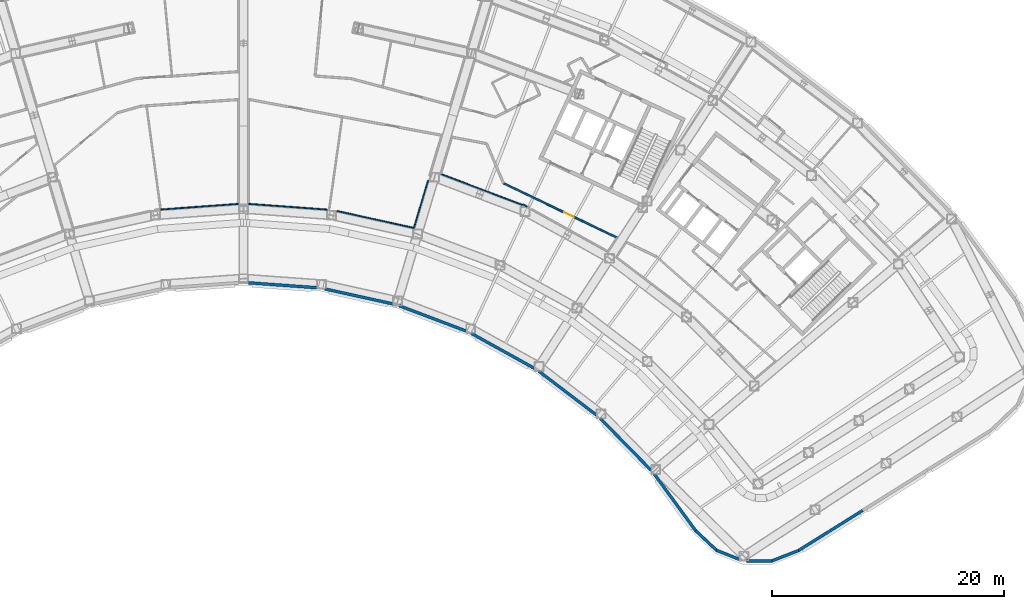
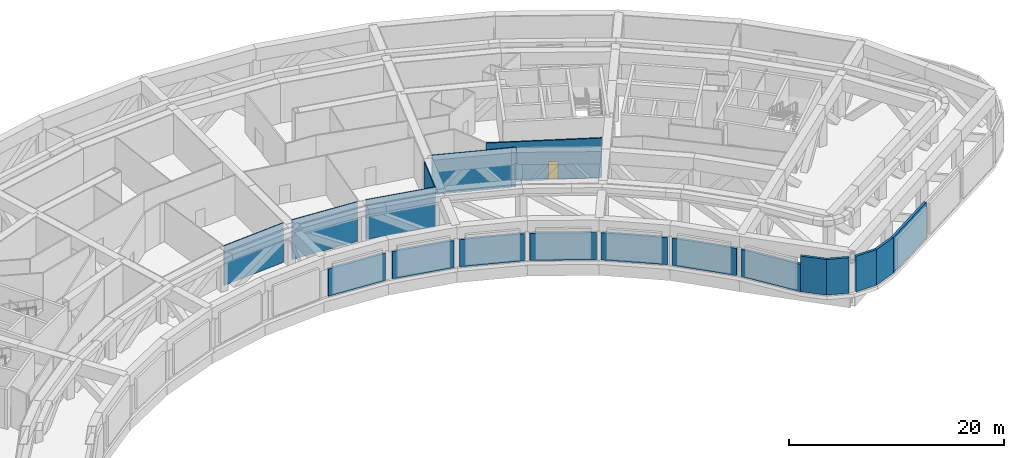
# One storey, part 12 of 30: 19 walls, 1 door, 1 opening.
"""IFC4 building model written with IfcOpenShell, lengths in metres."""

from ifc_helpers import new_model, si_unit, direction, frame, frame_2d, origin, place, context, subcontext, project, spatial, rectangle, extrude, material, layer, layer_set, type_object, element, fill, save


model = new_model("IFC4")

# Units and contexts
model_context = context("Model", 3, precision=1e-05, world=origin(), true_north=direction((0.0, 1.0)))
body_context = subcontext(model_context, "Body", "Model", "MODEL_VIEW")
ifc_project = project(units=[si_unit("LENGTHUNIT", "METRE"), si_unit("AREAUNIT", "SQUARE_METRE"), si_unit("VOLUMEUNIT", "CUBIC_METRE"), si_unit("PLANEANGLEUNIT", "RADIAN"), si_unit("MASSUNIT", "GRAM", prefix="KILO")], contexts=[model_context])

# Site, building, storey
site_placement = place(None, origin())
site = spatial("IfcSite", under=ifc_project, at=site_placement, CompositionType="ELEMENT")
building_placement = place(site_placement, origin())
building = spatial("IfcBuilding", under=site, at=building_placement, Name="Tuul Gate Civic Tower", CompositionType="ELEMENT")
storey_placement = place(building_placement, frame((0.0, 0.0, 26.699951171875)))
storey = spatial("IfcBuildingStorey", under=building, at=storey_placement, Name="Plant and refuge floor 1", CompositionType="ELEMENT", Elevation=26.699951171875)

# Wall, opening, door
ifc_material_1 = material(Name="Gypsum board partition")
ifc_layer_1 = layer(ifc_material_1, 0.14990234375)
ifc_layer_set_1 = layer_set([ifc_layer_1], Name="Gypsum board partition")
wall_type_1 = type_object("IfcWallType", Name="Corridor wall P150", PredefinedType="PARTITIONING", material=ifc_layer_set_1)
wall_1_placement = place(storey_placement, frame((22.381591796875, -5.257080078125, 0.0), z_axis=(0.0, 0.0, 1.0), x_axis=(0.901771196571, -0.432213730734, 0.0)))
wall_1 = element("IfcWall", 1, at=wall_1_placement, inside=storey, type_object=wall_type_1, Name="p006", PredefinedType="PARTITIONING", context=body_context, shape_type="SweptSolid", body=[
    extrude(rectangle(XDim=10.8330078125, YDim=0.14990234375, at=frame_2d((5.41650390625, 0.0))), origin(), (0.0, 0.0, 1.0), 4.5),
])
opening_placement = place(wall_1_placement, frame((5.81591796875, 0.0, 0.0)))
opening = element("IfcOpeningElement", 2, at=opening_placement, cuts=wall_1, Name="Opening PA-D06", PredefinedType="OPENING", context=body_context, shape_type="SweptSolid", body=[
    extrude(rectangle(XDim=0.89990234375, YDim=2.10009765625, at=frame_2d((0.449951171875, 1.050048828125))), frame((0.0, 0.0849609375, 0.0), z_axis=(0.0, -1.0, 0.0), x_axis=(1.0, 0.0, 0.0)), (0.0, 0.0, 1.0), 0.169921875),
])
ifc_material_2 = material(Name="Timber door leaf", Category="wood")
door_type = type_object("IfcDoorType", Name="Door D09", OperationType="NOTDEFINED", PredefinedType="DOOR", material=ifc_material_2)
door_placement = place(opening_placement, frame((0.89990234375, 0.0, 0.0), z_axis=(0.0, 0.0, 1.0), x_axis=(-1.0, 0.0, 0.0)))
door = element("IfcDoor", 3, at=door_placement, inside=storey, type_object=door_type, Name="Door PA-D06", OperationType="SINGLE_SWING_LEFT", OverallHeight=2.10009765625, OverallWidth=0.89990234375, PredefinedType="DOOR", context=body_context, shape_type="SweptSolid", body=[
    extrude(rectangle(XDim=0.89990234375, YDim=2.10009765625, at=frame_2d((0.449951171875, 1.050048828125))), frame((0.0, 0.02490234375, 0.0), z_axis=(0.0, -1.0, 0.0), x_axis=(1.0, 0.0, 0.0)), (0.0, 0.0, 1.0), 0.050048828125),
])
fill(opening, door)

# Walls
ifc_material_3 = material(Name="Precast concrete C40/50", Category="concrete")
ifc_layer_2 = layer(ifc_material_3, 0.25)
ifc_layer_set_2 = layer_set([ifc_layer_2], Name="Precast concrete C40/50")
wall_type_2 = type_object("IfcWallType", Name="External wall", PredefinedType="STANDARD", material=ifc_layer_set_2)
wall_2_placement = place(storey_placement, frame((38.926513671875, -35.1728515625, 0.0), z_axis=(0.0, 0.0, 1.0), x_axis=(0.729855985574, -0.683600936455, 0.0)))
element("IfcWall", 4, at=wall_2_placement, inside=storey, type_object=wall_type_2, Name="External wall", PredefinedType="STANDARD", context=body_context, shape_type="SweptSolid", body=[
    extrude(rectangle(XDim=2.507080078125, YDim=0.25, at=frame_2d((1.25341796875, 0.0))), origin(), (0.0, 0.0, 1.0), 4.050048828125),
])
wall_3_placement = place(storey_placement, frame((40.717041015625, -36.86181640625, 0.0), z_axis=(0.0, 0.0, 1.0), x_axis=(0.929442822885, -0.36896617594, 0.0)))
element("IfcWall", 5, at=wall_3_placement, inside=storey, type_object=wall_type_2, Name="External wall", PredefinedType="STANDARD", context=body_context, shape_type="SweptSolid", body=[
    extrude(rectangle(XDim=2.136474609375, YDim=0.25, at=frame_2d((1.068359375, 0.0))), origin(), (0.0, 0.0, 1.0), 4.050048828125),
])
wall_4_placement = place(storey_placement, frame((43.31396484375, -37.779052734375, 0.0), z_axis=(0.0, 0.0, 1.0), x_axis=(0.999995143276, -0.003116636689, 0.0)))
element("IfcWall", 6, at=wall_4_placement, inside=storey, type_object=wall_type_2, Name="External wall", PredefinedType="STANDARD", context=body_context, shape_type="SweptSolid", body=[
    extrude(rectangle(XDim=2.193359375, YDim=0.25, at=frame_2d((1.0966796875, 0.0))), origin(), (0.0, 0.0, 1.0), 4.050048828125),
])
wall_5_placement = place(storey_placement, frame((45.461669921875, -37.79443359375, 0.0), z_axis=(0.0, 0.0, 1.0), x_axis=(0.931986397936, 0.36249324692, 0.0)))
element("IfcWall", 7, at=wall_5_placement, inside=storey, type_object=wall_type_2, Name="External wall", PredefinedType="STANDARD", context=body_context, shape_type="SweptSolid", body=[
    extrude(rectangle(XDim=2.507568359375, YDim=0.25, at=frame_2d((1.25390625, 0.0))), origin(), (0.0, 0.0, 1.0), 4.050048828125),
])
wall_6_placement = place(storey_placement, frame((47.77783203125, -36.89599609375, 0.0), z_axis=(0.0, 0.0, 1.0), x_axis=(0.848025609636, 0.529955248489, 0.0)))
element("IfcWall", 8, at=wall_6_placement, inside=storey, type_object=wall_type_2, Name="External wall", PredefinedType="STANDARD", context=body_context, shape_type="SweptSolid", body=[
    extrude(rectangle(XDim=6.52978515625, YDim=0.25, at=frame_2d((3.264892578125, 0.0))), origin(), (0.0, 0.0, 1.0), 4.050048828125),
])
ifc_material_4 = material(Name="Precast concrete C40/50", Category="concrete")
ifc_layer_3 = layer(ifc_material_4, 0.25)
ifc_layer_set_3 = layer_set([ifc_layer_3], Name="Precast concrete C40/50")
wall_type_3 = type_object("IfcWallType", Name="External wall 3100 HIGH", PredefinedType="STANDARD", material=ifc_layer_set_3)
wall_7_placement = place(storey_placement, frame((0.39990234375, -13.82763671875, 0.0), z_axis=(0.0, 0.0, 1.0), x_axis=(0.997386820367, -0.072246318654, 0.0)))
element("IfcWall", 9, at=wall_7_placement, inside=storey, type_object=wall_type_3, Name="External wall", PredefinedType="STANDARD", context=body_context, shape_type="SweptSolid", body=[
    extrude(rectangle(XDim=5.92041015625, YDim=0.25, at=frame_2d((2.960205078125, 0.0))), origin(), (0.0, 0.0, 1.0), 3.10009765625),
])
wall_8_placement = place(storey_placement, frame((7.011962890625, -14.35888671875, 0.0), z_axis=(0.0, 0.0, 1.0), x_axis=(0.976558130997, -0.215253842669, 0.0)))
element("IfcWall", 10, at=wall_8_placement, inside=storey, type_object=wall_type_3, Name="External wall", PredefinedType="STANDARD", context=body_context, shape_type="SweptSolid", body=[
    extrude(rectangle(XDim=5.998779296875, YDim=0.25, at=frame_2d((2.99951171875, 0.0))), origin(), (0.0, 0.0, 1.0), 3.10009765625),
])
wall_9_placement = place(storey_placement, frame((13.40966796875, -15.805908203125, 0.0), z_axis=(0.0, 0.0, 1.0), x_axis=(0.935337776513, -0.353755909953, 0.0)))
element("IfcWall", 11, at=wall_9_placement, inside=storey, type_object=wall_type_3, Name="External wall", PredefinedType="STANDARD", context=body_context, shape_type="SweptSolid", body=[
    extrude(rectangle(XDim=6.145751953125, YDim=0.25, at=frame_2d((3.07275390625, 0.0))), origin(), (0.0, 0.0, 1.0), 3.10009765625),
])
wall_10_placement = place(storey_placement, frame((19.60791015625, -18.18310546875, 0.0), z_axis=(0.0, 0.0, 1.0), x_axis=(0.874668758588, -0.484721118531, 0.0)))
element("IfcWall", 12, at=wall_10_placement, inside=storey, type_object=wall_type_3, Name="External wall", PredefinedType="STANDARD", context=body_context, shape_type="SweptSolid", body=[
    extrude(rectangle(XDim=6.208251953125, YDim=0.25, at=frame_2d((3.10400390625, 0.0))), origin(), (0.0, 0.0, 1.0), 3.10009765625),
])
wall_11_placement = place(storey_placement, frame((25.427490234375, -21.443115234375, 0.0), z_axis=(0.0, 0.0, 1.0), x_axis=(0.795644800978, -0.605763444487, 0.0)))
element("IfcWall", 13, at=wall_11_placement, inside=storey, type_object=wall_type_3, Name="External wall", PredefinedType="STANDARD", context=body_context, shape_type="SweptSolid", body=[
    extrude(rectangle(XDim=6.23193359375, YDim=0.25, at=frame_2d((3.115966796875, 0.0))), origin(), (0.0, 0.0, 1.0), 3.10009765625),
])
wall_12_placement = place(storey_placement, frame((30.723876953125, -25.514892578125, 0.0), z_axis=(0.0, 0.0, 1.0), x_axis=(0.700009604238, -0.714133428692, 0.0)))
element("IfcWall", 14, at=wall_12_placement, inside=storey, type_object=wall_type_3, Name="External wall", PredefinedType="STANDARD", context=body_context, shape_type="SweptSolid", body=[
    extrude(rectangle(XDim=6.240234375, YDim=0.25, at=frame_2d((3.1201171875, 0.0))), origin(), (0.0, 0.0, 1.0), 3.10009765625),
])
wall_13_placement = place(storey_placement, frame((35.38232421875, -30.31591796875, 0.0), z_axis=(0.0, 0.0, 1.0), x_axis=(0.589757945661, -0.807580067566, 0.0)))
element("IfcWall", 15, at=wall_13_placement, inside=storey, type_object=wall_type_3, Name="External wall", PredefinedType="STANDARD", context=body_context, shape_type="SweptSolid", body=[
    extrude(rectangle(XDim=6.03564453125, YDim=0.25, at=frame_2d((3.017822265625, 0.0))), origin(), (0.0, 0.0, 1.0), 3.10009765625),
])
ifc_material_5 = material(Name="Gypsum board partition")
ifc_layer_4 = layer(ifc_material_5, 0.10009765625)
ifc_layer_set_4 = layer_set([ifc_layer_4], Name="Gypsum board partition")
wall_type_4 = type_object("IfcWallType", Name="Partition P100", PredefinedType="PARTITIONING", material=ifc_layer_set_4)
wall_14_placement = place(storey_placement, frame((24.42578125, -7.275634765625, 0.0), z_axis=(0.0, 0.0, 1.0), x_axis=(-0.874680772619, 0.484699438838, 0.0)))
element("IfcWall", 16, at=wall_14_placement, inside=storey, type_object=wall_type_4, Name="p088", PredefinedType="PARTITIONING", context=body_context, shape_type="SweptSolid", body=[
    extrude(rectangle(XDim=0.41748046875, YDim=0.10009765625, at=frame_2d((0.208740234375, 0.0))), origin(), (0.0, 0.0, 1.0), 4.5),
])
wall_15_placement = place(storey_placement, frame((24.031005859375, -7.12646484375, 0.0), z_axis=(0.0, 0.0, 1.0), x_axis=(-0.935374778499, 0.353658060487, 0.0)))
element("IfcWall", 17, at=wall_15_placement, inside=storey, type_object=wall_type_4, Name="p089", PredefinedType="PARTITIONING", context=body_context, shape_type="SweptSolid", body=[
    extrude(rectangle(XDim=7.5224609375, YDim=0.10009765625, at=frame_2d((3.76123046875, 0.0))), origin(), (0.0, 0.0, 1.0), 4.5),
])
wall_16_placement = place(storey_placement, frame((15.893310546875, -5.011962890625, 0.0), z_axis=(0.0, 0.0, 1.0), x_axis=(-0.28519427569, -0.958469730932, 0.0)))
element("IfcWall", 18, at=wall_16_placement, inside=storey, type_object=wall_type_4, Name="p097", PredefinedType="PARTITIONING", context=body_context, shape_type="SweptSolid", body=[
    extrude(rectangle(XDim=4.27587890625, YDim=0.10009765625, at=frame_2d((2.137939453125, 0.0))), origin(), (0.0, 0.0, 1.0), 4.5),
])
wall_17_placement = place(storey_placement, frame((14.673828125, -9.1103515625, 0.0), z_axis=(0.0, 0.0, 1.0), x_axis=(-0.976566616075, 0.215215344173, 0.0)))
element("IfcWall", 19, at=wall_17_placement, inside=storey, type_object=wall_type_4, Name="p098", PredefinedType="PARTITIONING", context=body_context, shape_type="SweptSolid", body=[
    extrude(rectangle(XDim=6.78369140625, YDim=0.10009765625, at=frame_2d((3.391845703125, 0.0))), origin(), (0.0, 0.0, 1.0), 4.5),
])
wall_18_placement = place(storey_placement, frame((7.21630859375, -7.529052734375, 0.0), z_axis=(0.0, 0.0, 1.0), x_axis=(-0.997380470642, 0.072333925527, 0.0)))
element("IfcWall", 20, at=wall_18_placement, inside=storey, type_object=wall_type_4, Name="p099", PredefinedType="PARTITIONING", context=body_context, shape_type="SweptSolid", body=[
    extrude(rectangle(XDim=6.7841796875, YDim=0.10009765625, at=frame_2d((3.39208984375, 0.0))), origin(), (0.0, 0.0, 1.0), 4.5),
])
wall_19_placement = place(storey_placement, frame((-0.449951171875, -7.038330078125, 0.0), z_axis=(0.0, 0.0, 1.0), x_axis=(-0.997379965744, -0.072340887004, 0.0)))
element("IfcWall", 21, at=wall_19_placement, inside=storey, type_object=wall_type_4, Name="p122", PredefinedType="PARTITIONING", context=body_context, shape_type="SweptSolid", body=[
    extrude(rectangle(XDim=6.709228515625, YDim=0.10009765625, at=frame_2d((3.3544921875, 0.0))), origin(), (0.0, 0.0, 1.0), 4.5),
])

save(model, "model.ifc")
